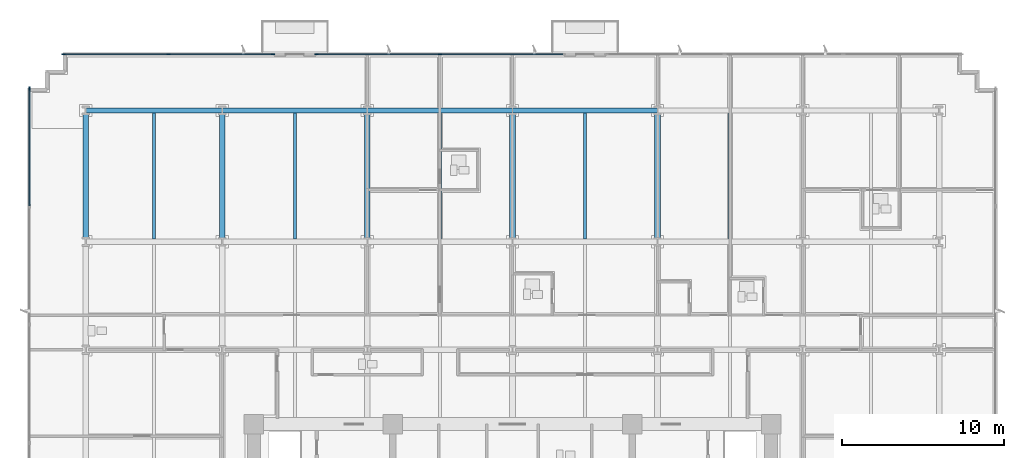
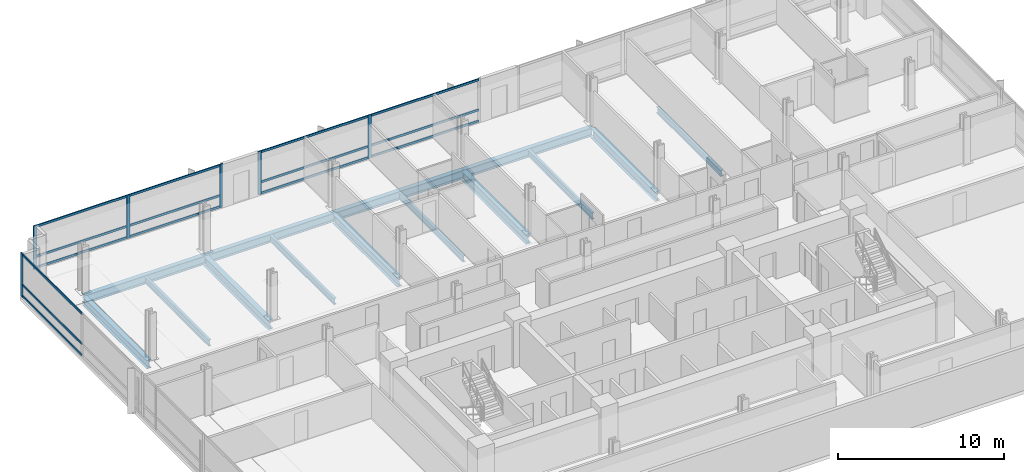
# One storey, part 5 of 17: 21 members, 14 beams, 3 elements without a shape of their own.
"""IFC4 building model written with IfcOpenShell, lengths in metres."""

import ifcopenshell
import ifcopenshell.guid

model = None  # the IFC model being written
_history = None  # IfcOwnerHistory: only IFC2X3 demands one
_inside = {}  # id of a spatial element -> (the spatial element, [elements in it])
_under = {}  # id of a project, library or spatial element -> (it, [spatial elements below it])
_declared = {}  # id of a project -> (the project, [libraries it declares])
_typed = {}  # id of a type object -> (the type object, [elements of that type])
_made_of = {}  # id of a material, layer set ... -> (it, [elements and type objects made of it])


def new_model(schema):
    """Start an empty IFC model of exactly this schema.

    Asked for "IFC4X3", IfcOpenShell would pick the latest addendum, in which some entities
    have other attributes; the version numbers below select the first issue.
    IFC2X3 requires an IfcOwnerHistory on every rooted entity: one is made here for all.
    """
    global model, _history
    if schema == "IFC4X3":
        model = ifcopenshell.file(schema_version=(4, 3, 0, 0))
    else:
        model = ifcopenshell.file(schema=schema)
    _inside.clear()
    _under.clear()
    _declared.clear()
    _typed.clear()
    _made_of.clear()
    _history = None
    if model.schema == "IFC2X3":
        org = make("IfcOrganization", Name="unknown")
        user = make(
            "IfcPersonAndOrganization",
            ThePerson=make("IfcPerson", FamilyName="unknown"),
            TheOrganization=org,
        )
        app = make(
            "IfcApplication",
            ApplicationDeveloper=org,
            Version="unknown",
            ApplicationFullName="unknown",
            ApplicationIdentifier="unknown",
        )
        _history = make(
            "IfcOwnerHistory",
            OwningUser=user,
            OwningApplication=app,
            ChangeAction="ADDED",
            CreationDate=0,
        )
    return model


def make(cls, **values):
    """One entity of the class cls with the attributes given. An attribute that is None is left unset."""
    return model.create_entity(
        cls, **{name: value for name, value in values.items() if value is not None}
    )


def rooted(cls, **values):
    """An entity with a GlobalId (a new one), such as an element, a storey or a relation."""
    return make(cls, GlobalId=ifcopenshell.guid.new(), OwnerHistory=_history, **values)


def si_unit(unit_type, name, prefix=None):
    """IfcSIUnit, for example si_unit("LENGTHUNIT", "METRE", prefix="MILLI")."""
    return make("IfcSIUnit", UnitType=unit_type, Prefix=prefix, Name=name)


def assignment(units):
    """IfcUnitAssignment: the units of a project."""
    return None if units is None else make("IfcUnitAssignment", Units=units)


def point(xyz):
    """IfcCartesianPoint."""
    return None if xyz is None else make("IfcCartesianPoint", Coordinates=xyz)


def direction(xyz):
    """IfcDirection."""
    return None if xyz is None else make("IfcDirection", DirectionRatios=xyz)


def frame(location, z_axis=None, x_axis=None):
    """IfcAxis2Placement3D, a coordinate frame: its origin and axes. An axis left out is left unset."""
    return make(
        "IfcAxis2Placement3D",
        Location=point(location),
        Axis=direction(z_axis),
        RefDirection=direction(x_axis),
    )


def frame_2d(location, x_axis=None):
    """IfcAxis2Placement2D, a coordinate frame in the plane: its origin and x axis."""
    return make(
        "IfcAxis2Placement2D", Location=point(location), RefDirection=direction(x_axis)
    )


def origin():
    """The frame at (0, 0, 0) with its axes left unset."""
    return frame((0.0, 0.0, 0.0))


def origin_2d():
    """The frame at (0, 0) in the plane with its x axis left unset."""
    return frame_2d((0.0, 0.0))


def place(relative_to, where):
    """IfcLocalPlacement: puts the frame where relative to a parent placement (None: the world)."""
    return make(
        "IfcLocalPlacement", PlacementRelTo=relative_to, RelativePlacement=where
    )


def context(
    kind, dimensions, precision=None, world=None, true_north=None, identifier=None
):
    """IfcGeometricRepresentationContext, for example the 3D "Model" context."""
    return make(
        "IfcGeometricRepresentationContext",
        ContextIdentifier=identifier,
        ContextType=kind,
        CoordinateSpaceDimension=dimensions,
        Precision=precision,
        WorldCoordinateSystem=world,
        TrueNorth=true_north,
    )


def subcontext(parent, identifier, kind, view, scale=None):
    """IfcGeometricRepresentationSubContext, for example "Body" below "Model"."""
    return make(
        "IfcGeometricRepresentationSubContext",
        ContextIdentifier=identifier,
        ContextType=kind,
        ParentContext=parent,
        TargetScale=scale,
        TargetView=view,
    )


def project(units=None, contexts=None):
    """IfcProject with its units and contexts."""
    return rooted(
        "IfcProject",
        Name="project",
        RepresentationContexts=contexts,
        UnitsInContext=assignment(units),
    )


def spatial(cls, under=None, at=None, **own):
    """A site, building, storey or space (cls), placed at a placement, below another one or the project."""
    s = rooted(cls, ObjectPlacement=at, **own)
    if under is not None:
        _under.setdefault(under.id(), (under, []))[1].append(s)
    return s


def profile(cls, at=None, kind="AREA", **sizes):
    """A parametric profile (cls). Its sizes go by their IFC names, for example OverallWidth=200.0."""
    return make(cls, ProfileType=kind, Position=at, **sizes)


def rectangle(**sizes):
    """IfcRectangleProfileDef."""
    return profile("IfcRectangleProfileDef", **sizes)


def i_section(**sizes):
    """IfcIShapeProfileDef."""
    return profile("IfcIShapeProfileDef", **sizes)


def extrude(swept, where, along, depth):
    """IfcExtrudedAreaSolid: the profile swept, set in the frame where, extruded along a direction by depth."""
    return make(
        "IfcExtrudedAreaSolid",
        SweptArea=swept,
        Position=where,
        ExtrudedDirection=direction(along),
        Depth=depth,
    )


def shape(context_of_items, identifier, shape_type, items):
    """IfcShapeRepresentation: the items that make up one representation, for example the "Body"."""
    return make(
        "IfcShapeRepresentation",
        ContextOfItems=context_of_items,
        RepresentationIdentifier=identifier,
        RepresentationType=shape_type,
        Items=items,
    )


def material(Name=None, Category=None):
    """IfcMaterial."""
    return make("IfcMaterial", Name=Name, Category=Category)


def material_profile(
    of_material, cross_section, Name=None, Category=None, Priority=None
):
    """IfcMaterialProfile: a cross section and its material."""
    return make(
        "IfcMaterialProfile",
        Name=Name,
        Material=of_material,
        Profile=cross_section,
        Priority=Priority,
        Category=Category,
    )


def profile_set(profiles, Name=None, composite=None):
    """IfcMaterialProfileSet."""
    return make(
        "IfcMaterialProfileSet",
        Name=Name,
        MaterialProfiles=profiles,
        CompositeProfile=composite,
    )


def made_of(thing, what):
    """Note that an element or type object is made of a material, layer set ...; save() writes the relation."""
    if what is not None:
        _made_of.setdefault(what.id(), (what, []))[1].append(thing)
    return thing


def type_object(cls, material=None, **own):
    """A type object (cls), such as IfcWallType, which elements share."""
    return made_of(rooted(cls, **own), material)


def element(
    cls,
    number,
    at=None,
    inside=None,
    cuts=None,
    type_object=None,
    material=None,
    context=None,
    identifier="Body",
    shape_type=None,
    held_by="IfcProductDefinitionShape",
    body=None,
    shapes=None,
    **own,
):
    """One element of the class cls, such as IfcWall. Its Tag is "e" and its number.

    at: its placement. inside: the storey or other place that contains it. cuts: it is an
    opening in that element (IfcRelVoidsElement). A single representation is given by context,
    identifier, shape_type and body (its items); several are given by shapes. held_by: the class
    of the entity that holds the representations. save() writes the other relations.
    """
    e = rooted(cls, Tag="e%d" % number, ObjectPlacement=at, **own)
    if body is not None:
        shapes = [shape(context, identifier, shape_type, body)]
    if shapes is not None:
        e.Representation = make(held_by, Representations=shapes)
    if inside is not None:
        _inside.setdefault(inside.id(), (inside, []))[1].append(e)
    if cuts is not None:
        rooted(
            "IfcRelVoidsElement", RelatingBuildingElement=cuts, RelatedOpeningElement=e
        )
    if type_object is not None:
        _typed.setdefault(type_object.id(), (type_object, []))[1].append(e)
    return made_of(e, material)


def aggregate(whole, parts):
    """IfcRelAggregates: a whole, such as a stair, and the parts it consists of."""
    return rooted("IfcRelAggregates", RelatingObject=whole, RelatedObjects=parts)


def save(model, path):
    """Write the relations noted so far, then the file.

    IfcRelAggregates (storeys below a building ...), IfcRelContainedInSpatialStructure (elements
    in a storey), IfcRelDefinesByType, IfcRelAssociatesMaterial and IfcRelDeclares: one each for
    every whole, place, type object, material and project.
    """
    for whole, parts in _under.values():
        aggregate(whole, parts)
    for where, things in _inside.values():
        rooted(
            "IfcRelContainedInSpatialStructure",
            RelatedElements=things,
            RelatingStructure=where,
        )
    for kind, things in _typed.values():
        rooted("IfcRelDefinesByType", RelatedObjects=things, RelatingType=kind)
    for what, things in _made_of.values():
        rooted("IfcRelAssociatesMaterial", RelatedObjects=things, RelatingMaterial=what)
    for by, libraries in _declared.values():
        rooted("IfcRelDeclares", RelatingContext=by, RelatedDefinitions=libraries)
    model.write(path)


model = new_model("IFC4")

# Units and contexts
model_context = context("Model", 3, precision=1e-05, world=origin(), true_north=direction((0.0, 1.0)))
body_context = subcontext(model_context, "Body", "Model", "MODEL_VIEW")
ifc_project = project(units=[si_unit("LENGTHUNIT", "METRE"), si_unit("AREAUNIT", "SQUARE_METRE"), si_unit("VOLUMEUNIT", "CUBIC_METRE"), si_unit("PLANEANGLEUNIT", "RADIAN"), si_unit("MASSUNIT", "GRAM", prefix="KILO")], contexts=[model_context])

# Site, building, storey
site_placement = place(None, origin())
site = spatial("IfcSite", under=ifc_project, at=site_placement, CompositionType="ELEMENT")
building_placement = place(site_placement, origin())
building = spatial("IfcBuilding", under=site, at=building_placement, Name="Solmavex Isthmus Hotel", CompositionType="ELEMENT")
storey_placement = place(building_placement, frame((0.0, 0.0, 47.10009765625)))
storey = spatial("IfcBuildingStorey", under=building, at=storey_placement, Name="L12", CompositionType="ELEMENT", Elevation=47.10009765625)

# Beams
ifc_material_1 = material(Name="Steel ASTM A992 Grade 50", Category="steel")
ifc_material_profile_1 = material_profile(ifc_material_1, i_section(OverallWidth=0.354736328125, OverallDepth=0.695556640625, WebThickness=0.015380859375, FlangeThickness=0.02490234375, FilletRadius=0.017822265625, at=origin_2d()), Name="W27X146")
ifc_profile_set_1 = profile_set([ifc_material_profile_1], Name="Steel ASTM A992 Grade 50")
beam_type_1 = type_object("IfcBeamType", Name="BM-BG-W27X146", PredefinedType="BEAM", material=ifc_profile_set_1)
for number, where, z_axis, x_axis, name in (
    (1, (-17.951904296875, 8.96533203125, -0.60791015625), (0.0, 1.0, 0.0), (-1.0, 0.0, 0.0), "Floor Beam L12-VG30"),
    (2, (-8.97607421875, 8.96533203125, -0.60791015625), (0.0, 1.0, 0.0), (-1.0, 0.0, 0.0), "Floor Beam L12-VG34"),
    (3, (0.0, 8.96533203125, -0.60791015625), (0.0, 1.0, 0.0), (-1.0, 0.0, 0.0), "Floor Beam L12-VG38"),
    (4, (8.97607421875, 8.96533203125, -0.60791015625), (0.0, 1.0, 0.0), (-1.0, 0.0, 0.0), "Floor Beam L12-VG42"),
):
    element("IfcBeam", number, at=place(storey_placement, frame(where, z_axis=z_axis, x_axis=x_axis)), inside=storey, type_object=beam_type_1, Name=name, PredefinedType="BEAM", context=body_context, shape_type="SweptSolid", body=[
        extrude(i_section(OverallWidth=0.354736328125, OverallDepth=0.695556640625, WebThickness=0.015380859375, FlangeThickness=0.02490234375, FilletRadius=0.017822265625, at=origin_2d()), origin(), (0.0, 0.0, 1.0), 7.771484375),
    ])
ifc_material_profile_2 = material_profile(ifc_material_1, i_section(OverallWidth=0.1904296875, OverallDepth=0.456787109375, WebThickness=0.009033203125, FlangeThickness=0.014404296875, FilletRadius=0.0126953125, at=origin_2d()), Name="W18X50")
ifc_profile_set_2 = profile_set([ifc_material_profile_2], Name="Steel ASTM A992 Grade 50")
beam_type_2 = type_object("IfcBeamType", Name="BM-BJ-W18X50", PredefinedType="JOIST", material=ifc_profile_set_2)
for number, where, z_axis, x_axis, name in (
    (5, (-22.176025390625, 8.96533203125, -0.488525390625), (0.0, 1.0, 0.0), (-1.0, 0.0, 0.0), "Secondary Floor Joist L12-J03"),
    (6, (-13.464111328125, 8.96533203125, -0.488525390625), (0.0, 1.0, 0.0), (-1.0, 0.0, 0.0), "Secondary Floor Joist L12-J07"),
    (7, (-4.488037109375, 8.96533203125, -0.488525390625), (0.0, 1.0, 0.0), (-1.0, 0.0, 0.0), "Secondary Floor Joist L12-J11"),
    (8, (4.488037109375, 8.96533203125, -0.488525390625), (0.0, 1.0, 0.0), (-1.0, 0.0, 0.0), "Secondary Floor Joist L12-J15"),
    (9, (13.464111328125, 8.96533203125, -0.488525390625), (0.0, 1.0, 0.0), (-1.0, 0.0, 0.0), "Secondary Floor Joist L12-J19"),
):
    element("IfcBeam", number, at=place(storey_placement, frame(where, z_axis=z_axis, x_axis=x_axis)), inside=storey, type_object=beam_type_2, Name=name, PredefinedType="JOIST", context=body_context, shape_type="SweptSolid", body=[
        extrude(i_section(OverallWidth=0.1904296875, OverallDepth=0.456787109375, WebThickness=0.009033203125, FlangeThickness=0.014404296875, FilletRadius=0.0126953125, at=origin_2d()), origin(), (0.0, 0.0, 1.0), 7.771484375),
    ])
ifc_material_profile_3 = material_profile(ifc_material_1, i_section(OverallWidth=0.326416015625, OverallDepth=0.621826171875, WebThickness=0.015380859375, FlangeThickness=0.0244140625, FilletRadius=0.01513671875, at=origin_2d()), Name="W24X131")
ifc_profile_set_3 = profile_set([ifc_material_profile_3], Name="Steel ASTM A992 Grade 50")
beam_type_3 = type_object("IfcBeamType", Name="BM-SP-W24X131", PredefinedType="SPANDREL", material=ifc_profile_set_3)
beam_1_placement = place(storey_placement, frame((-26.39990234375, 16.89990234375, -0.571044921875), z_axis=(1.0, 0.0, 0.0), x_axis=(0.0, 1.0, 0.0)))
element("IfcBeam", 10, at=beam_1_placement, inside=storey, type_object=beam_type_3, Name="Floor Girder L12-UG19", PredefinedType="SPANDREL", context=body_context, shape_type="SweptSolid", body=[
    extrude(i_section(OverallWidth=0.326416015625, OverallDepth=0.621826171875, WebThickness=0.015380859375, FlangeThickness=0.0244140625, FilletRadius=0.01513671875, at=origin_2d()), origin(), (0.0, 0.0, 1.0), 8.447998046875),
])
beam_2_placement = place(storey_placement, frame((-17.951904296875, 16.89990234375, -0.571044921875), z_axis=(1.0, 0.0, 0.0), x_axis=(0.0, 1.0, 0.0)))
element("IfcBeam", 11, at=beam_2_placement, inside=storey, type_object=beam_type_3, Name="Floor Girder L12-UG20", PredefinedType="SPANDREL", context=body_context, shape_type="SweptSolid", body=[
    extrude(i_section(OverallWidth=0.326416015625, OverallDepth=0.621826171875, WebThickness=0.015380859375, FlangeThickness=0.0244140625, FilletRadius=0.01513671875, at=origin_2d()), origin(), (0.0, 0.0, 1.0), 8.975830078125),
])
for number, where, z_axis, x_axis, name in (
    (12, (-8.97607421875, 16.89990234375, -0.571044921875), (1.0, 0.0, 0.0), (0.0, 1.0, 0.0), "Floor Girder L12-UG21"),
    (13, (0.0, 16.89990234375, -0.571044921875), (1.0, 0.0, 0.0), (0.0, 1.0, 0.0), "Floor Girder L12-UG22"),
):
    element("IfcBeam", number, at=place(storey_placement, frame(where, z_axis=z_axis, x_axis=x_axis)), inside=storey, type_object=beam_type_3, Name=name, PredefinedType="SPANDREL", context=body_context, shape_type="SweptSolid", body=[
        extrude(i_section(OverallWidth=0.326416015625, OverallDepth=0.621826171875, WebThickness=0.015380859375, FlangeThickness=0.0244140625, FilletRadius=0.01513671875, at=origin_2d()), origin(), (0.0, 0.0, 1.0), 8.97607421875),
    ])
beam_3_placement = place(storey_placement, frame((-26.39990234375, 8.96533203125, -0.571044921875), z_axis=(0.0, 1.0, 0.0), x_axis=(-1.0, 0.0, 0.0)))
element("IfcBeam", 14, at=beam_3_placement, inside=storey, type_object=beam_type_3, Name="Floor Beam L12-VG27", PredefinedType="SPANDREL", context=body_context, shape_type="SweptSolid", body=[
    extrude(i_section(OverallWidth=0.326416015625, OverallDepth=0.621826171875, WebThickness=0.015380859375, FlangeThickness=0.0244140625, FilletRadius=0.01513671875, at=origin_2d()), origin(), (0.0, 0.0, 1.0), 7.771484375),
])

# Curtain wall, members
ifc_material_2 = material(Name="Aluminium alloy 6063-T6", Category="aluminium")
curtain_wall_type = type_object("IfcCurtainWallType", Name="CW-SYS-02", PredefinedType="NOTDEFINED", material=ifc_material_2)
curtain_wall_1_placement = place(storey_placement, origin())
curtain_wall_1 = element("IfcCurtainWall", 15, at=curtain_wall_1_placement, inside=storey, type_object=curtain_wall_type, Name="Stick Curtain Wall CWL-L12-N1", PredefinedType="NOTDEFINED")
ifc_material_profile_4 = material_profile(ifc_material_2, rectangle(XDim=0.074951171875, YDim=0.219970703125, at=origin_2d()), Name="CWM-75X220")
ifc_profile_set_4 = profile_set([ifc_material_profile_4], Name="Aluminium alloy 6063-T6")
member_type_1 = type_object("IfcMemberType", Name="CW-SYS-02-MUL", PredefinedType="MULLION", material=ifc_profile_set_4)
member_1_placement = place(storey_placement, frame((-27.762451171875, 20.3798828125, 0.0), z_axis=(0.0, 0.0, 1.0), x_axis=(0.0, 1.0, 0.0)))
member_1 = element("IfcMember", 16, at=member_1_placement, type_object=member_type_1, Name="CW-02 mullion 1", PredefinedType="MULLION", context=body_context, shape_type="SweptSolid", body=[
    extrude(rectangle(XDim=0.074951171875, YDim=0.219970703125, at=origin_2d()), origin(), (0.0, 0.0, 1.0), 3.18994140625),
])
member_2_placement = place(storey_placement, frame((-21.281982421875, 20.3798828125, 0.0), z_axis=(0.0, 0.0, 1.0), x_axis=(0.0, 1.0, 0.0)))
member_2 = element("IfcMember", 17, at=member_2_placement, type_object=member_type_1, Name="CW-02 mullion 2", PredefinedType="MULLION", context=body_context, shape_type="SweptSolid", body=[
    extrude(rectangle(XDim=0.074951171875, YDim=0.219970703125, at=origin_2d()), origin(), (0.0, 0.0, 1.0), 3.18994140625),
])
member_3_placement = place(storey_placement, frame((-14.801513671875, 20.3798828125, 0.0), z_axis=(0.0, 0.0, 1.0), x_axis=(0.0, 1.0, 0.0)))
member_3 = element("IfcMember", 18, at=member_3_placement, type_object=member_type_1, Name="CW-02 mullion 3", PredefinedType="MULLION", context=body_context, shape_type="SweptSolid", body=[
    extrude(rectangle(XDim=0.074951171875, YDim=0.219970703125, at=origin_2d()), origin(), (0.0, 0.0, 1.0), 3.18994140625),
])

curtain_wall_2_placement = place(storey_placement, origin())
curtain_wall_2 = element("IfcCurtainWall", 19, at=curtain_wall_2_placement, inside=storey, type_object=curtain_wall_type, Name="Stick Curtain Wall CWL-L12-N2", PredefinedType="NOTDEFINED")
member_4_placement = place(storey_placement, frame((-12.12646484375, 20.3798828125, 0.0), z_axis=(0.0, 0.0, 1.0), x_axis=(0.0, 1.0, 0.0)))
member_4 = element("IfcMember", 20, at=member_4_placement, type_object=member_type_1, Name="CW-02 mullion 1", PredefinedType="MULLION", context=body_context, shape_type="SweptSolid", body=[
    extrude(rectangle(XDim=0.074951171875, YDim=0.219970703125, at=origin_2d()), origin(), (0.0, 0.0, 1.0), 3.18994140625),
])
member_5_placement = place(storey_placement, frame((-4.488037109375, 20.3798828125, 0.0), z_axis=(0.0, 0.0, 1.0), x_axis=(0.0, 1.0, 0.0)))
member_5 = element("IfcMember", 21, at=member_5_placement, type_object=member_type_1, Name="CW-02 mullion 2", PredefinedType="MULLION", context=body_context, shape_type="SweptSolid", body=[
    extrude(rectangle(XDim=0.074951171875, YDim=0.219970703125, at=origin_2d()), origin(), (0.0, 0.0, 1.0), 3.18994140625),
])

# Curtain wall, member
curtain_wall_3_placement = place(storey_placement, origin())
curtain_wall_3 = element("IfcCurtainWall", 22, at=curtain_wall_3_placement, inside=storey, type_object=curtain_wall_type, Name="Stick Curtain Wall CWL-L12-W1", PredefinedType="NOTDEFINED")
member_6_placement = place(storey_placement, frame((-29.8798828125, 18.262451171875, 0.0), z_axis=(0.0, 0.0, 1.0), x_axis=(-1.0, 0.0, 0.0)))
member_6 = element("IfcMember", 23, at=member_6_placement, type_object=member_type_1, Name="CW-02 mullion 6", PredefinedType="MULLION", context=body_context, shape_type="SweptSolid", body=[
    extrude(rectangle(XDim=0.074951171875, YDim=0.219970703125, at=origin_2d()), origin(), (0.0, 0.0, 1.0), 3.18994140625),
])

# Member
ifc_material_profile_5 = material_profile(ifc_material_2, rectangle(XDim=0.074951171875, YDim=0.159912109375, at=origin_2d()), Name="CWT-75X160")
ifc_profile_set_5 = profile_set([ifc_material_profile_5], Name="Aluminium alloy 6063-T6")
member_type_2 = type_object("IfcMemberType", Name="CW-SYS-02-TRN", PredefinedType="USERDEFINED", material=ifc_profile_set_5)
member_7_placement = place(storey_placement, frame((-27.72509765625, 20.3798828125, 0.079833984375), z_axis=(1.0, 0.0, 0.0), x_axis=(0.0, 1.0, 0.0)))
member_7 = element("IfcMember", 24, at=member_7_placement, type_object=member_type_2, Name="CW-02 transom 1.1", ObjectType="TRANSOM", PredefinedType="USERDEFINED", context=body_context, shape_type="SweptSolid", body=[
    extrude(rectangle(XDim=0.074951171875, YDim=0.159912109375, at=origin_2d()), origin(), (0.0, 0.0, 1.0), 6.405517578125),
])

member_8_placement = place(storey_placement, frame((-27.72509765625, 20.3798828125, 0.89990234375), z_axis=(1.0, 0.0, 0.0), x_axis=(0.0, 1.0, 0.0)))
member_8 = element("IfcMember", 25, at=member_8_placement, type_object=member_type_2, Name="CW-02 transom 1.2", ObjectType="TRANSOM", PredefinedType="USERDEFINED", context=body_context, shape_type="SweptSolid", body=[
    extrude(rectangle(XDim=0.074951171875, YDim=0.159912109375, at=origin_2d()), origin(), (0.0, 0.0, 1.0), 6.405517578125),
])

member_9_placement = place(storey_placement, frame((-27.72509765625, 20.3798828125, 3.10986328125), z_axis=(1.0, 0.0, 0.0), x_axis=(0.0, 1.0, 0.0)))
member_9 = element("IfcMember", 26, at=member_9_placement, type_object=member_type_2, Name="CW-02 transom 1.3", ObjectType="TRANSOM", PredefinedType="USERDEFINED", context=body_context, shape_type="SweptSolid", body=[
    extrude(rectangle(XDim=0.074951171875, YDim=0.159912109375, at=origin_2d()), origin(), (0.0, 0.0, 1.0), 6.405517578125),
])

member_10_placement = place(storey_placement, frame((-21.244384765625, 20.3798828125, 0.079833984375), z_axis=(1.0, 0.0, 0.0), x_axis=(0.0, 1.0, 0.0)))
member_10 = element("IfcMember", 27, at=member_10_placement, type_object=member_type_2, Name="CW-02 transom 2.1", ObjectType="TRANSOM", PredefinedType="USERDEFINED", context=body_context, shape_type="SweptSolid", body=[
    extrude(rectangle(XDim=0.074951171875, YDim=0.159912109375, at=origin_2d()), origin(), (0.0, 0.0, 1.0), 6.4052734375),
])

member_11_placement = place(storey_placement, frame((-21.244384765625, 20.3798828125, 0.89990234375), z_axis=(1.0, 0.0, 0.0), x_axis=(0.0, 1.0, 0.0)))
member_11 = element("IfcMember", 28, at=member_11_placement, type_object=member_type_2, Name="CW-02 transom 2.2", ObjectType="TRANSOM", PredefinedType="USERDEFINED", context=body_context, shape_type="SweptSolid", body=[
    extrude(rectangle(XDim=0.074951171875, YDim=0.159912109375, at=origin_2d()), origin(), (0.0, 0.0, 1.0), 6.4052734375),
])

member_12_placement = place(storey_placement, frame((-21.244384765625, 20.3798828125, 3.10986328125), z_axis=(1.0, 0.0, 0.0), x_axis=(0.0, 1.0, 0.0)))
member_12 = element("IfcMember", 29, at=member_12_placement, type_object=member_type_2, Name="CW-02 transom 2.3", ObjectType="TRANSOM", PredefinedType="USERDEFINED", context=body_context, shape_type="SweptSolid", body=[
    extrude(rectangle(XDim=0.074951171875, YDim=0.159912109375, at=origin_2d()), origin(), (0.0, 0.0, 1.0), 6.4052734375),
])

aggregate(curtain_wall_1, [member_1, member_2, member_3, member_7, member_8, member_9, member_10, member_11, member_12])

member_13_placement = place(storey_placement, frame((-12.089111328125, 20.3798828125, 0.079833984375), z_axis=(1.0, 0.0, 0.0), x_axis=(0.0, 1.0, 0.0)))
member_13 = element("IfcMember", 30, at=member_13_placement, type_object=member_type_2, Name="CW-02 transom 1.1", ObjectType="TRANSOM", PredefinedType="USERDEFINED", context=body_context, shape_type="SweptSolid", body=[
    extrude(rectangle(XDim=0.074951171875, YDim=0.159912109375, at=origin_2d()), origin(), (0.0, 0.0, 1.0), 7.563720703125),
])

member_14_placement = place(storey_placement, frame((-12.089111328125, 20.3798828125, 0.89990234375), z_axis=(1.0, 0.0, 0.0), x_axis=(0.0, 1.0, 0.0)))
member_14 = element("IfcMember", 31, at=member_14_placement, type_object=member_type_2, Name="CW-02 transom 1.2", ObjectType="TRANSOM", PredefinedType="USERDEFINED", context=body_context, shape_type="SweptSolid", body=[
    extrude(rectangle(XDim=0.074951171875, YDim=0.159912109375, at=origin_2d()), origin(), (0.0, 0.0, 1.0), 7.563720703125),
])

member_15_placement = place(storey_placement, frame((-12.089111328125, 20.3798828125, 3.10986328125), z_axis=(1.0, 0.0, 0.0), x_axis=(0.0, 1.0, 0.0)))
member_15 = element("IfcMember", 32, at=member_15_placement, type_object=member_type_2, Name="CW-02 transom 1.3", ObjectType="TRANSOM", PredefinedType="USERDEFINED", context=body_context, shape_type="SweptSolid", body=[
    extrude(rectangle(XDim=0.074951171875, YDim=0.159912109375, at=origin_2d()), origin(), (0.0, 0.0, 1.0), 7.563720703125),
])

member_16_placement = place(storey_placement, frame((-4.450439453125, 20.3798828125, 0.079833984375), z_axis=(1.0, 0.0, 0.0), x_axis=(0.0, 1.0, 0.0)))
member_16 = element("IfcMember", 33, at=member_16_placement, type_object=member_type_2, Name="CW-02 transom 2.1", ObjectType="TRANSOM", PredefinedType="USERDEFINED", context=body_context, shape_type="SweptSolid", body=[
    extrude(rectangle(XDim=0.074951171875, YDim=0.159912109375, at=origin_2d()), origin(), (0.0, 0.0, 1.0), 7.5634765625),
])

member_17_placement = place(storey_placement, frame((-4.450439453125, 20.3798828125, 0.89990234375), z_axis=(1.0, 0.0, 0.0), x_axis=(0.0, 1.0, 0.0)))
member_17 = element("IfcMember", 34, at=member_17_placement, type_object=member_type_2, Name="CW-02 transom 2.2", ObjectType="TRANSOM", PredefinedType="USERDEFINED", context=body_context, shape_type="SweptSolid", body=[
    extrude(rectangle(XDim=0.074951171875, YDim=0.159912109375, at=origin_2d()), origin(), (0.0, 0.0, 1.0), 7.5634765625),
])

member_18_placement = place(storey_placement, frame((-4.450439453125, 20.3798828125, 3.10986328125), z_axis=(1.0, 0.0, 0.0), x_axis=(0.0, 1.0, 0.0)))
member_18 = element("IfcMember", 35, at=member_18_placement, type_object=member_type_2, Name="CW-02 transom 2.3", ObjectType="TRANSOM", PredefinedType="USERDEFINED", context=body_context, shape_type="SweptSolid", body=[
    extrude(rectangle(XDim=0.074951171875, YDim=0.159912109375, at=origin_2d()), origin(), (0.0, 0.0, 1.0), 7.5634765625),
])

aggregate(curtain_wall_2, [member_4, member_5, member_13, member_14, member_15, member_16, member_17, member_18])

member_19_placement = place(storey_placement, frame((-29.8798828125, 11.017578125, 0.079833984375), z_axis=(0.0, 1.0, 0.0), x_axis=(-1.0, 0.0, 0.0)))
member_19 = element("IfcMember", 36, at=member_19_placement, type_object=member_type_2, Name="CW-02 transom 5.1", ObjectType="TRANSOM", PredefinedType="USERDEFINED", context=body_context, shape_type="SweptSolid", body=[
    extrude(rectangle(XDim=0.074951171875, YDim=0.159912109375, at=origin_2d()), origin(), (0.0, 0.0, 1.0), 7.20751953125),
])

member_20_placement = place(storey_placement, frame((-29.8798828125, 11.017578125, 0.89990234375), z_axis=(0.0, 1.0, 0.0), x_axis=(-1.0, 0.0, 0.0)))
member_20 = element("IfcMember", 37, at=member_20_placement, type_object=member_type_2, Name="CW-02 transom 5.2", ObjectType="TRANSOM", PredefinedType="USERDEFINED", context=body_context, shape_type="SweptSolid", body=[
    extrude(rectangle(XDim=0.074951171875, YDim=0.159912109375, at=origin_2d()), origin(), (0.0, 0.0, 1.0), 7.20751953125),
])

member_21_placement = place(storey_placement, frame((-29.8798828125, 11.017578125, 3.10986328125), z_axis=(0.0, 1.0, 0.0), x_axis=(-1.0, 0.0, 0.0)))
member_21 = element("IfcMember", 38, at=member_21_placement, type_object=member_type_2, Name="CW-02 transom 5.3", ObjectType="TRANSOM", PredefinedType="USERDEFINED", context=body_context, shape_type="SweptSolid", body=[
    extrude(rectangle(XDim=0.074951171875, YDim=0.159912109375, at=origin_2d()), origin(), (0.0, 0.0, 1.0), 7.20751953125),
])

aggregate(curtain_wall_3, [member_6, member_19, member_20, member_21])

save(model, "model.ifc")
